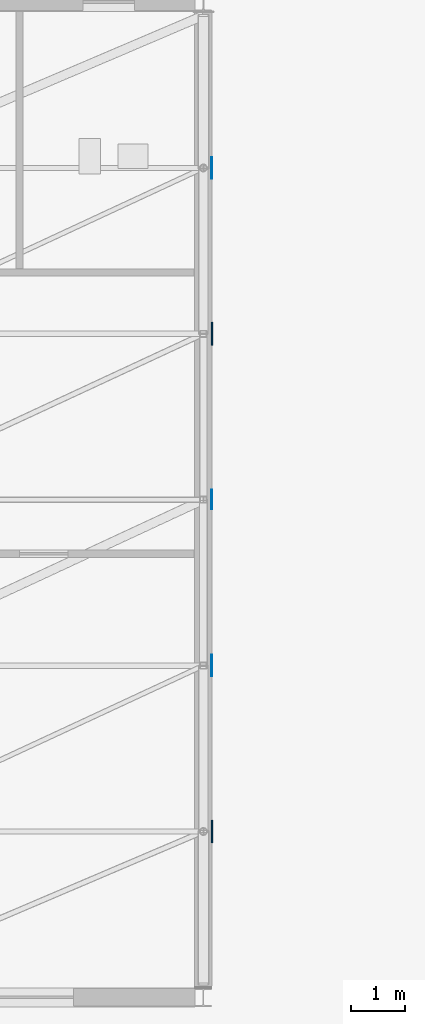
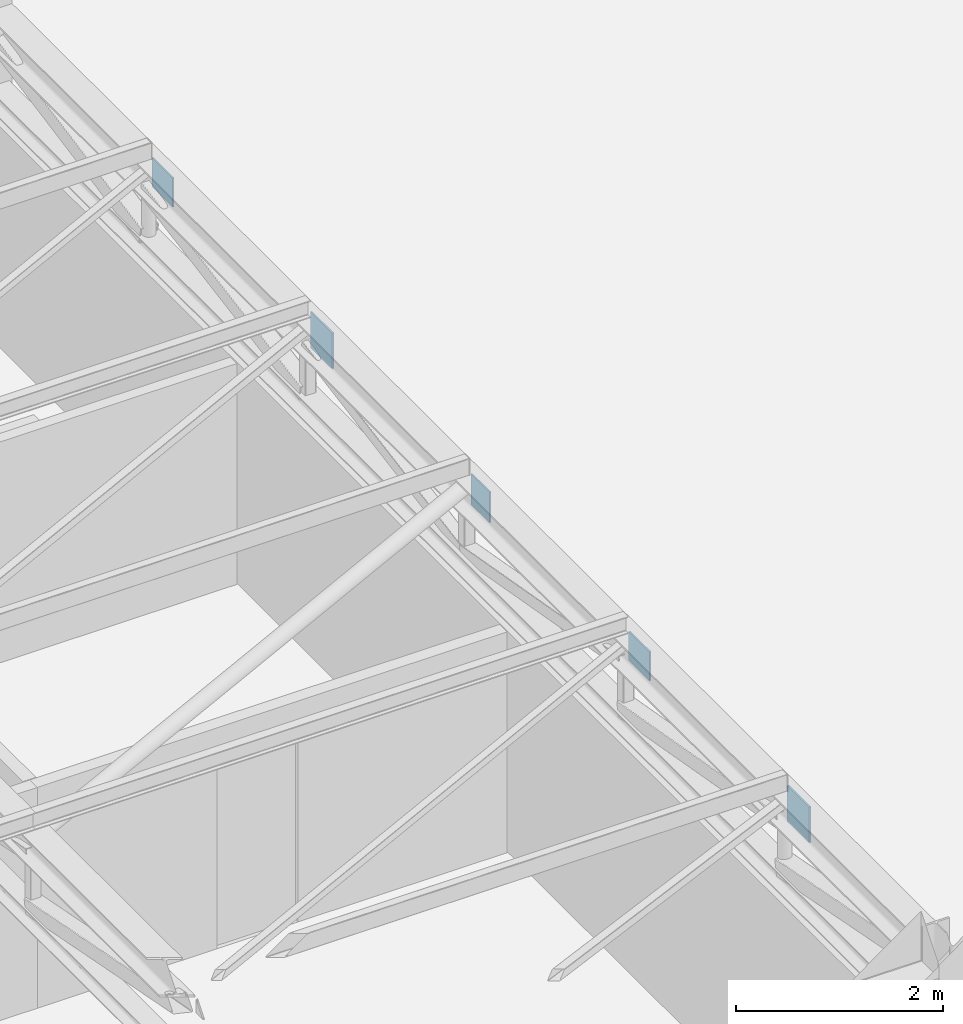
# One storey, part 62 of 92: 5 plates.
"""IFC4 building model written with IfcOpenShell, lengths in metres."""

from ifc_helpers import new_model, si_unit, direction, frame, origin, origin_2d, place, context, subcontext, project, spatial, rectangle, extrude, material, layer, layer_set, type_object, element, save


model = new_model("IFC4")

# Units and contexts
model_context = context("Model", 3, precision=1e-05, world=origin(), true_north=direction((0.0, 1.0)))
body_context = subcontext(model_context, "Body", "Model", "MODEL_VIEW")
ifc_project = project(units=[si_unit("LENGTHUNIT", "METRE"), si_unit("AREAUNIT", "SQUARE_METRE"), si_unit("VOLUMEUNIT", "CUBIC_METRE"), si_unit("PLANEANGLEUNIT", "RADIAN"), si_unit("MASSUNIT", "GRAM", prefix="KILO")], contexts=[model_context])

# Site, building, storey
site_placement = place(None, origin())
site = spatial("IfcSite", under=ifc_project, at=site_placement, CompositionType="ELEMENT")
building_placement = place(site_placement, origin())
building = spatial("IfcBuilding", under=site, at=building_placement, Name="Kernevlak Ridge Housing Community", CompositionType="ELEMENT")
storey_placement = place(building_placement, frame((0.0, 0.0, 4.199951171875)))
storey = spatial("IfcBuildingStorey", under=building, at=storey_placement, Name="L01", CompositionType="ELEMENT", Elevation=4.199951171875)

# Plates
ifc_material = material(Name="Steel S355", Category="steel")
ifc_layer_1 = layer(ifc_material, 0.01611328125, Name="Steel S355")
ifc_layer_set_1 = layer_set([ifc_layer_1], Name="Steel S355")
plate_type_1 = type_object("IfcPlateType", Name="GP-01", PredefinedType="USERDEFINED", material=ifc_layer_set_1)
plate_placement = place(storey_placement, frame((103.9580078125, 59.0, 3.22998046875), z_axis=(0.0, 0.0, 1.0), x_axis=(1.0, 0.0, 0.0)))
element("IfcPlate", 1, at=plate_placement, inside=storey, type_object=plate_type_1, Name="Roof truss 7 node gusset plate 3", ObjectType="GUSSET_PLATE", PredefinedType="USERDEFINED", context=body_context, shape_type="SweptSolid", body=[
    extrude(rectangle(XDim=0.01611328125, YDim=0.360107421875, at=origin_2d()), origin(), (0.0, 0.0, 1.0), 0.360107421875),
])
ifc_layer_2 = layer(ifc_material, 0.02001953125, Name="Steel S355")
ifc_layer_set_2 = layer_set([ifc_layer_2], Name="Steel S355")
plate_type_2 = type_object("IfcPlateType", Name="GP-02", PredefinedType="USERDEFINED", material=ifc_layer_set_2)
for number, where, z_axis, x_axis, name in (
    (2, (103.9599609375, 52.86669921875, 3.2001953125), (0.0, 0.0, 1.0), (1.0, 0.0, 0.0), "Roof truss 7 node gusset plate 1"),
    (3, (103.9599609375, 62.066650390625, 3.2001953125), (0.0, 0.0, 1.0), (1.0, 0.0, 0.0), "Roof truss 7 node gusset plate 4"),
):
    element("IfcPlate", number, at=place(storey_placement, frame(where, z_axis=z_axis, x_axis=x_axis)), inside=storey, type_object=plate_type_2, Name=name, ObjectType="GUSSET_PLATE", PredefinedType="USERDEFINED", context=body_context, shape_type="SweptSolid", body=[
        extrude(rectangle(XDim=0.02001953125, YDim=0.419921875, at=origin_2d()), origin(), (0.0, 0.0, 1.0), 0.419921875),
    ])
ifc_layer_3 = layer(ifc_material, 0.01806640625, Name="Steel S355")
ifc_layer_set_3 = layer_set([ifc_layer_3], Name="Steel S355")
plate_type_3 = type_object("IfcPlateType", Name="GP-03", PredefinedType="USERDEFINED", material=ifc_layer_set_3)
for number, where, z_axis, x_axis, name in (
    (4, (103.958984375, 55.933349609375, 3.240234375), (0.0, 0.0, 1.0), (1.0, 0.0, 0.0), "Roof truss 7 node gusset plate 2"),
    (5, (103.958984375, 65.13330078125, 3.240234375), (0.0, 0.0, 1.0), (1.0, 0.0, 0.0), "Roof truss 7 node gusset plate 5"),
):
    element("IfcPlate", number, at=place(storey_placement, frame(where, z_axis=z_axis, x_axis=x_axis)), inside=storey, type_object=plate_type_3, Name=name, ObjectType="GUSSET_PLATE", PredefinedType="USERDEFINED", context=body_context, shape_type="SweptSolid", body=[
        extrude(rectangle(XDim=0.01806640625, YDim=0.39990234375, at=origin_2d()), origin(), (0.0, 0.0, 1.0), 0.340087890625),
    ])

save(model, "model.ifc")
